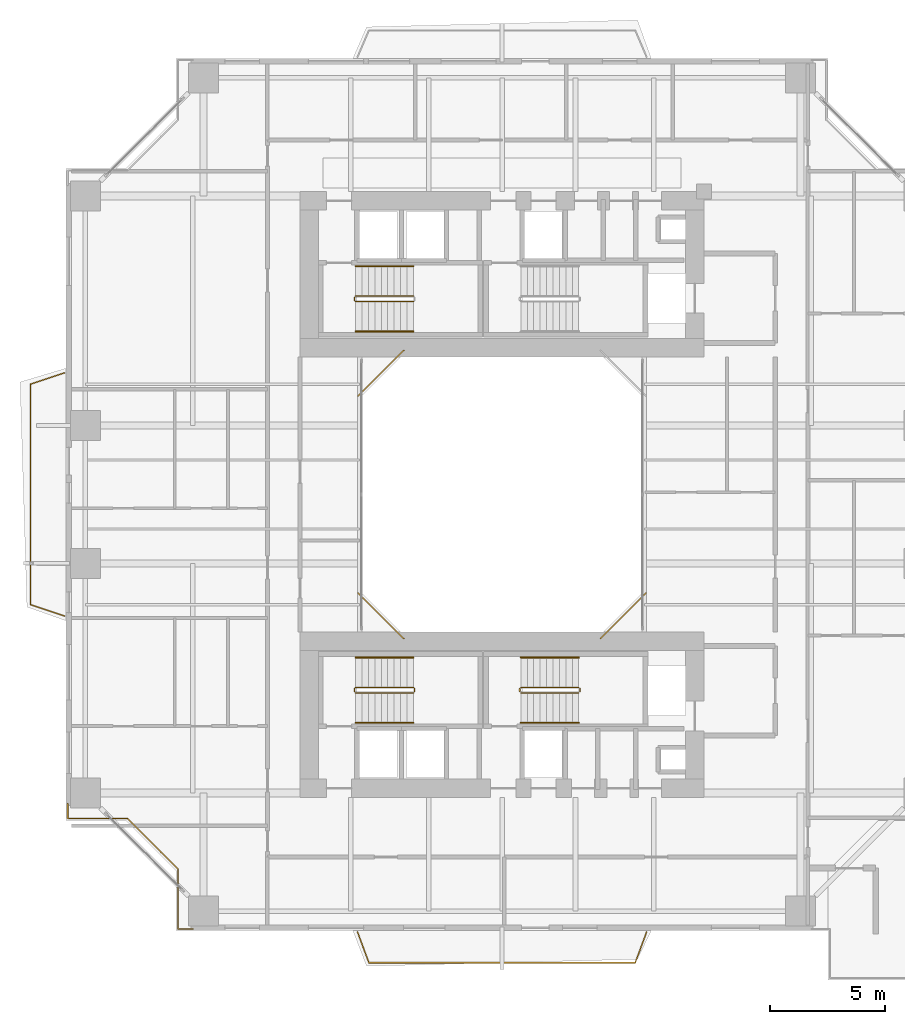
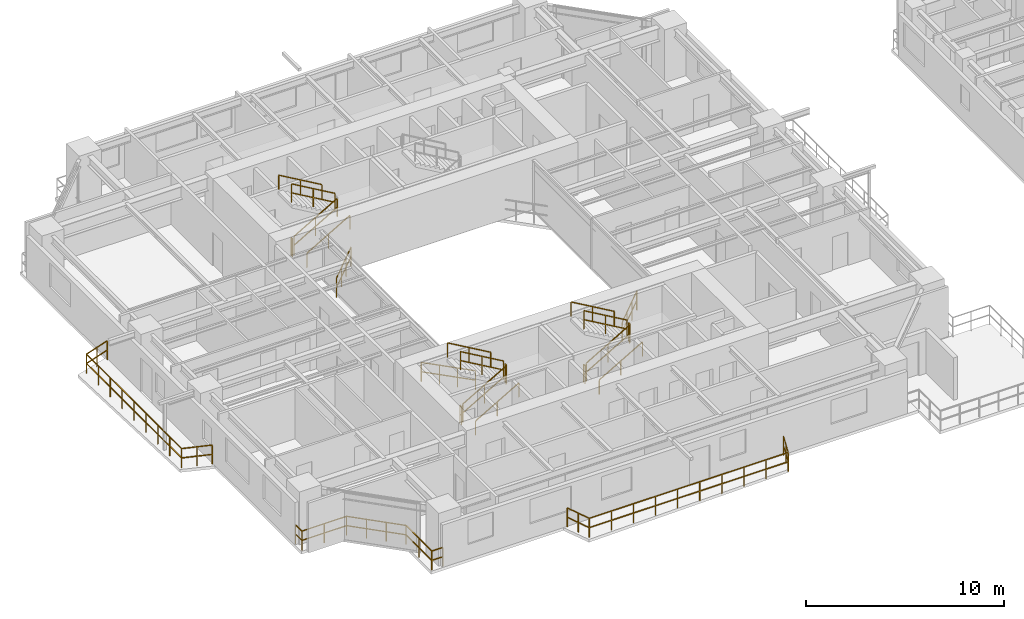
# One storey, part 20 of 23: 23 railings.
"""IFC4 building model written with IfcOpenShell, lengths in metres."""

from ifc_helpers import new_model, si_unit, direction, frame, origin, origin_2d, place, context, subcontext, project, spatial, rectangle, extrude, material, type_object, element, save


model = new_model("IFC4")

# Units and contexts
model_context = context("Model", 3, precision=1e-05, world=origin(), true_north=direction((0.0, 1.0)))
body_context = subcontext(model_context, "Body", "Model", "MODEL_VIEW")
ifc_project = project(units=[si_unit("LENGTHUNIT", "METRE"), si_unit("AREAUNIT", "SQUARE_METRE"), si_unit("VOLUMEUNIT", "CUBIC_METRE"), si_unit("PLANEANGLEUNIT", "RADIAN"), si_unit("MASSUNIT", "GRAM", prefix="KILO"), si_unit("THERMODYNAMICTEMPERATUREUNIT", "KELVIN"), si_unit("POWERUNIT", "WATT")], contexts=[model_context])

# Site, building, storey
site_placement = place(None, origin())
site = spatial("IfcSite", under=ifc_project, at=site_placement, CompositionType="ELEMENT")
building_placement = place(site_placement, origin())
building = spatial("IfcBuilding", under=site, at=building_placement, Name="Qiaomeng Ring Towers", CompositionType="ELEMENT")
storey_placement = place(building_placement, frame((0.0, 0.0, 73.0)))
storey = spatial("IfcBuildingStorey", under=building, at=storey_placement, Name="L20", CompositionType="ELEMENT", Elevation=73.0)

# Railings
ifc_material_1 = material(Name="Low-E pale-green laminated safety glass", Category="glass")
railing_type_1 = type_object("IfcRailingType", Name="ARC-RL-BAL1", PredefinedType="BALUSTRADE", material=ifc_material_1)
railing_1_placement = place(storey_placement, frame((23.280029296875, 16.719970703125, 0.0)))
element("IfcRailing", 1, at=railing_1_placement, inside=storey, type_object=railing_type_1, Name="L20 Balustrade ARC-BAL-WELL1-L20-1", PredefinedType="BALUSTRADE", context=body_context, shape_type="SweptSolid", body=[
    extrude(rectangle(XDim=0.048095703125, YDim=0.048095703125, at=origin_2d()), frame((0.0, 0.0, 1.17578125), z_axis=(0.707106781187, 0.707106781187, 0.0), x_axis=(-0.707106781187, 0.707106781187, 0.0)), (0.0, 0.0, 1.0), 2.828369140625),
    extrude(rectangle(XDim=0.048095703125, YDim=0.048095703125, at=origin_2d()), frame((0.0, 0.0, 0.60009765625), z_axis=(0.707106781187, 0.707106781187, 0.0), x_axis=(-0.707106781187, 0.707106781187, 0.0)), (0.0, 0.0, 1.0), 2.828369140625),
    extrude(rectangle(XDim=0.0419921875, YDim=0.0419921875, at=origin_2d()), origin(), (0.0, 0.0, 1.0), 1.15185546875),
    extrude(rectangle(XDim=0.0419921875, YDim=0.0419921875, at=origin_2d()), frame((0.666748046875, 0.666748046875, 0.0)), (0.0, 0.0, 1.0), 1.15185546875),
    extrude(rectangle(XDim=0.0419921875, YDim=0.0419921875, at=origin_2d()), frame((1.333251953125, 1.333251953125, 0.0)), (0.0, 0.0, 1.0), 1.15185546875),
    extrude(rectangle(XDim=0.0419921875, YDim=0.0419921875, at=origin_2d()), frame((2.0, 2.0, 0.0)), (0.0, 0.0, 1.0), 1.15185546875),
])
railing_2_placement = place(storey_placement, frame((14.719970703125, 29.280029296875, 0.0)))
element("IfcRailing", 2, at=railing_2_placement, inside=storey, type_object=railing_type_1, Name="L20 Balustrade ARC-BAL-WELL1-L20-3", PredefinedType="BALUSTRADE", context=body_context, shape_type="SweptSolid", body=[
    extrude(rectangle(XDim=0.048095703125, YDim=0.048095703125, at=origin_2d()), frame((0.0, 0.0, 1.17578125), z_axis=(-0.707106781187, -0.707106781187, 0.0), x_axis=(0.707106781187, -0.707106781187, 0.0)), (0.0, 0.0, 1.0), 2.828369140625),
    extrude(rectangle(XDim=0.048095703125, YDim=0.048095703125, at=origin_2d()), frame((0.0, 0.0, 0.60009765625), z_axis=(-0.707106781187, -0.707106781187, 0.0), x_axis=(0.707106781187, -0.707106781187, 0.0)), (0.0, 0.0, 1.0), 2.828369140625),
    extrude(rectangle(XDim=0.0419921875, YDim=0.0419921875, at=origin_2d()), origin(), (0.0, 0.0, 1.0), 1.15185546875),
    extrude(rectangle(XDim=0.0419921875, YDim=0.0419921875, at=origin_2d()), frame((-0.666748046875, -0.666748046875, 0.0)), (0.0, 0.0, 1.0), 1.15185546875),
    extrude(rectangle(XDim=0.0419921875, YDim=0.0419921875, at=origin_2d()), frame((-1.333251953125, -1.333251953125, 0.0)), (0.0, 0.0, 1.0), 1.15185546875),
    extrude(rectangle(XDim=0.0419921875, YDim=0.0419921875, at=origin_2d()), frame((-2.0, -2.0, 0.0)), (0.0, 0.0, 1.0), 1.15185546875),
])
railing_3_placement = place(storey_placement, frame((12.719970703125, 18.719970703125, 0.0)))
element("IfcRailing", 3, at=railing_3_placement, inside=storey, type_object=railing_type_1, Name="L20 Balustrade ARC-BAL-WELL1-L20-4", PredefinedType="BALUSTRADE", context=body_context, shape_type="SweptSolid", body=[
    extrude(rectangle(XDim=0.048095703125, YDim=0.048095703125, at=origin_2d()), frame((0.0, 0.0, 1.17578125), z_axis=(0.707106781187, -0.707106781187, 0.0), x_axis=(0.707106781187, 0.707106781187, 0.0)), (0.0, 0.0, 1.0), 2.828369140625),
    extrude(rectangle(XDim=0.048095703125, YDim=0.048095703125, at=origin_2d()), frame((0.0, 0.0, 0.60009765625), z_axis=(0.707106781187, -0.707106781187, 0.0), x_axis=(0.707106781187, 0.707106781187, 0.0)), (0.0, 0.0, 1.0), 2.828369140625),
    extrude(rectangle(XDim=0.0419921875, YDim=0.0419921875, at=origin_2d()), origin(), (0.0, 0.0, 1.0), 1.15185546875),
    extrude(rectangle(XDim=0.0419921875, YDim=0.0419921875, at=origin_2d()), frame((0.666748046875, -0.666748046875, 0.0)), (0.0, 0.0, 1.0), 1.15185546875),
    extrude(rectangle(XDim=0.0419921875, YDim=0.0419921875, at=origin_2d()), frame((1.333251953125, -1.333251953125, 0.0)), (0.0, 0.0, 1.0), 1.15185546875),
    extrude(rectangle(XDim=0.0419921875, YDim=0.0419921875, at=origin_2d()), frame((2.0, -2.0, 0.0)), (0.0, 0.0, 1.0), 1.15185546875),
])
railing_4_placement = place(storey_placement, frame((0.080078125, 9.530029296875, 0.0)))
element("IfcRailing", 4, at=railing_4_placement, inside=storey, type_object=railing_type_1, Name="L20 Balustrade ARC-BAL-NOTCH1-L20-SW", PredefinedType="BALUSTRADE", context=body_context, shape_type="SweptSolid", body=[
    extrude(rectangle(XDim=0.048095703125, YDim=0.048095703125, at=origin_2d()), frame((0.0, 0.0, 1.17578125), z_axis=(0.0, -1.0, 0.0), x_axis=(1.0, 0.0, 0.0)), (0.0, 0.0, 1.0), 0.650146484375),
    extrude(rectangle(XDim=0.048095703125, YDim=0.048095703125, at=origin_2d()), frame((0.0, 0.0, 0.60009765625), z_axis=(0.0, -1.0, 0.0), x_axis=(1.0, 0.0, 0.0)), (0.0, 0.0, 1.0), 0.650146484375),
    extrude(rectangle(XDim=0.048095703125, YDim=0.048095703125, at=origin_2d()), frame((0.0, -0.650146484375, 1.17578125), z_axis=(1.0, 0.0, 0.0), x_axis=(0.0, 1.0, 0.0)), (0.0, 0.0, 1.0), 2.599853515625),
    extrude(rectangle(XDim=0.048095703125, YDim=0.048095703125, at=origin_2d()), frame((0.0, -0.650146484375, 0.60009765625), z_axis=(1.0, 0.0, 0.0), x_axis=(0.0, 1.0, 0.0)), (0.0, 0.0, 1.0), 2.599853515625),
    extrude(rectangle(XDim=0.048095703125, YDim=0.048095703125, at=origin_2d()), frame((2.599853515625, -0.650146484375, 1.17578125), z_axis=(0.707106781187, -0.707106781187, 0.0), x_axis=(0.707106781187, 0.707106781187, 0.0)), (0.0, 0.0, 1.0), 3.111083984375),
    extrude(rectangle(XDim=0.048095703125, YDim=0.048095703125, at=origin_2d()), frame((2.599853515625, -0.650146484375, 0.60009765625), z_axis=(0.707106781187, -0.707106781187, 0.0), x_axis=(0.707106781187, 0.707106781187, 0.0)), (0.0, 0.0, 1.0), 3.111083984375),
    extrude(rectangle(XDim=0.048095703125, YDim=0.048095703125, at=origin_2d()), frame((4.7998046875, -2.85009765625, 1.17578125), z_axis=(0.0, -1.0, 0.0), x_axis=(1.0, 0.0, 0.0)), (0.0, 0.0, 1.0), 2.599853515625),
    extrude(rectangle(XDim=0.048095703125, YDim=0.048095703125, at=origin_2d()), frame((4.7998046875, -2.85009765625, 0.60009765625), z_axis=(0.0, -1.0, 0.0), x_axis=(1.0, 0.0, 0.0)), (0.0, 0.0, 1.0), 2.599853515625),
    extrude(rectangle(XDim=0.048095703125, YDim=0.048095703125, at=origin_2d()), frame((4.7998046875, -5.449951171875, 1.17578125), z_axis=(1.0, 0.0, 0.0), x_axis=(0.0, 1.0, 0.0)), (0.0, 0.0, 1.0), 0.650146484375),
    extrude(rectangle(XDim=0.048095703125, YDim=0.048095703125, at=origin_2d()), frame((4.7998046875, -5.449951171875, 0.60009765625), z_axis=(1.0, 0.0, 0.0), x_axis=(0.0, 1.0, 0.0)), (0.0, 0.0, 1.0), 0.650146484375),
    extrude(rectangle(XDim=0.0419921875, YDim=0.0419921875, at=origin_2d()), origin(), (0.0, 0.0, 1.0), 1.15185546875),
    extrude(rectangle(XDim=0.0419921875, YDim=0.0419921875, at=origin_2d()), frame((0.0, -0.650146484375, 0.0)), (0.0, 0.0, 1.0), 1.15185546875),
    extrude(rectangle(XDim=0.0419921875, YDim=0.0419921875, at=origin_2d()), frame((1.2998046875, -0.650146484375, 0.0)), (0.0, 0.0, 1.0), 1.15185546875),
    extrude(rectangle(XDim=0.0419921875, YDim=0.0419921875, at=origin_2d()), frame((2.599853515625, -0.650146484375, 0.0)), (0.0, 0.0, 1.0), 1.15185546875),
    extrude(rectangle(XDim=0.0419921875, YDim=0.0419921875, at=origin_2d()), frame((3.333251953125, -1.383544921875, 0.0)), (0.0, 0.0, 1.0), 1.15185546875),
    extrude(rectangle(XDim=0.0419921875, YDim=0.0419921875, at=origin_2d()), frame((4.06640625, -2.11669921875, 0.0)), (0.0, 0.0, 1.0), 1.15185546875),
    extrude(rectangle(XDim=0.0419921875, YDim=0.0419921875, at=origin_2d()), frame((4.7998046875, -2.85009765625, 0.0)), (0.0, 0.0, 1.0), 1.15185546875),
    extrude(rectangle(XDim=0.0419921875, YDim=0.0419921875, at=origin_2d()), frame((4.7998046875, -4.14990234375, 0.0)), (0.0, 0.0, 1.0), 1.15185546875),
    extrude(rectangle(XDim=0.0419921875, YDim=0.0419921875, at=origin_2d()), frame((4.7998046875, -5.449951171875, 0.0)), (0.0, 0.0, 1.0), 1.15185546875),
    extrude(rectangle(XDim=0.0419921875, YDim=0.0419921875, at=origin_2d()), frame((5.449951171875, -5.449951171875, 0.0)), (0.0, 0.0, 1.0), 1.15185546875),
])
railing_5_placement = place(storey_placement, frame((12.699951171875, 3.949951171875, 0.0)))
element("IfcRailing", 5, at=railing_5_placement, inside=storey, type_object=railing_type_1, Name="L20 Balustrade ARC-BAL-L20-T1-S", PredefinedType="BALUSTRADE", context=body_context, shape_type="SweptSolid", body=[
    extrude(rectangle(XDim=0.048095703125, YDim=0.048095703125, at=origin_2d()), frame((0.0, 0.0, 1.17578125), z_axis=(0.347347498827, -0.937736484871, 0.0), x_axis=(0.937736484871, 0.347347498827, 0.0)), (0.0, 0.0, 1.0), 1.439453125),
    extrude(rectangle(XDim=0.048095703125, YDim=0.048095703125, at=origin_2d()), frame((0.0, 0.0, 0.60009765625), z_axis=(0.347347498827, -0.937736484871, 0.0), x_axis=(0.937736484871, 0.347347498827, 0.0)), (0.0, 0.0, 1.0), 1.439453125),
    extrude(rectangle(XDim=0.048095703125, YDim=0.048095703125, at=origin_2d()), frame((0.5, -1.349853515625, 1.17578125), z_axis=(1.0, 0.0, 0.0), x_axis=(0.0, 1.0, 0.0)), (0.0, 0.0, 1.0), 11.60009765625),
    extrude(rectangle(XDim=0.048095703125, YDim=0.048095703125, at=origin_2d()), frame((0.5, -1.349853515625, 0.60009765625), z_axis=(1.0, 0.0, 0.0), x_axis=(0.0, 1.0, 0.0)), (0.0, 0.0, 1.0), 11.60009765625),
    extrude(rectangle(XDim=0.048095703125, YDim=0.048095703125, at=origin_2d()), frame((12.10009765625, -1.349853515625, 1.17578125), z_axis=(0.347347498827, 0.937736484871, 0.0), x_axis=(-0.937736484871, 0.347347498827, 0.0)), (0.0, 0.0, 1.0), 1.439453125),
    extrude(rectangle(XDim=0.048095703125, YDim=0.048095703125, at=origin_2d()), frame((12.10009765625, -1.349853515625, 0.60009765625), z_axis=(0.347347498827, 0.937736484871, 0.0), x_axis=(-0.937736484871, 0.347347498827, 0.0)), (0.0, 0.0, 1.0), 1.439453125),
    extrude(rectangle(XDim=0.0419921875, YDim=0.0419921875, at=origin_2d()), origin(), (0.0, 0.0, 1.0), 1.15185546875),
    extrude(rectangle(XDim=0.0419921875, YDim=0.0419921875, at=origin_2d()), frame((0.25, -0.6748046875, 0.0)), (0.0, 0.0, 1.0), 1.15185546875),
    extrude(rectangle(XDim=0.0419921875, YDim=0.0419921875, at=origin_2d()), frame((0.5, -1.349853515625, 0.0)), (0.0, 0.0, 1.0), 1.15185546875),
    extrude(rectangle(XDim=0.0419921875, YDim=0.0419921875, at=origin_2d()), frame((1.788818359375, -1.349853515625, 0.0)), (0.0, 0.0, 1.0), 1.15185546875),
    extrude(rectangle(XDim=0.0419921875, YDim=0.0419921875, at=origin_2d()), frame((3.077880859375, -1.349853515625, 0.0)), (0.0, 0.0, 1.0), 1.15185546875),
    extrude(rectangle(XDim=0.0419921875, YDim=0.0419921875, at=origin_2d()), frame((4.36669921875, -1.349853515625, 0.0)), (0.0, 0.0, 1.0), 1.15185546875),
    extrude(rectangle(XDim=0.0419921875, YDim=0.0419921875, at=origin_2d()), frame((5.655517578125, -1.349853515625, 0.0)), (0.0, 0.0, 1.0), 1.15185546875),
    extrude(rectangle(XDim=0.0419921875, YDim=0.0419921875, at=origin_2d()), frame((6.944580078125, -1.349853515625, 0.0)), (0.0, 0.0, 1.0), 1.15185546875),
    extrude(rectangle(XDim=0.0419921875, YDim=0.0419921875, at=origin_2d()), frame((8.2333984375, -1.349853515625, 0.0)), (0.0, 0.0, 1.0), 1.15185546875),
    extrude(rectangle(XDim=0.0419921875, YDim=0.0419921875, at=origin_2d()), frame((9.522216796875, -1.349853515625, 0.0)), (0.0, 0.0, 1.0), 1.15185546875),
    extrude(rectangle(XDim=0.0419921875, YDim=0.0419921875, at=origin_2d()), frame((10.811279296875, -1.349853515625, 0.0)), (0.0, 0.0, 1.0), 1.15185546875),
    extrude(rectangle(XDim=0.0419921875, YDim=0.0419921875, at=origin_2d()), frame((12.10009765625, -1.349853515625, 0.0)), (0.0, 0.0, 1.0), 1.15185546875),
    extrude(rectangle(XDim=0.0419921875, YDim=0.0419921875, at=origin_2d()), frame((12.35009765625, -0.6748046875, 0.0)), (0.0, 0.0, 1.0), 1.15185546875),
    extrude(rectangle(XDim=0.0419921875, YDim=0.0419921875, at=origin_2d()), frame((12.60009765625, 0.0, 0.0)), (0.0, 0.0, 1.0), 1.15185546875),
])
railing_6_placement = place(storey_placement, frame((-0.050048828125, 17.699951171875, 0.0)))
element("IfcRailing", 6, at=railing_6_placement, inside=storey, type_object=railing_type_1, Name="L20 Balustrade ARC-BAL-L20-T1-W", PredefinedType="BALUSTRADE", context=body_context, shape_type="SweptSolid", body=[
    extrude(rectangle(XDim=0.048095703125, YDim=0.048095703125, at=origin_2d()), frame((0.0, 0.0, 1.17578125), z_axis=(-0.948683298051, 0.316227766017, 0.0), x_axis=(-0.316227766017, -0.948683298051, 0.0)), (0.0, 0.0, 1.0), 1.5810546875),
    extrude(rectangle(XDim=0.048095703125, YDim=0.048095703125, at=origin_2d()), frame((0.0, 0.0, 0.60009765625), z_axis=(-0.948683298051, 0.316227766017, 0.0), x_axis=(-0.316227766017, -0.948683298051, 0.0)), (0.0, 0.0, 1.0), 1.5810546875),
    extrude(rectangle(XDim=0.048095703125, YDim=0.048095703125, at=origin_2d()), frame((-1.5, 0.5, 1.17578125), z_axis=(0.0, 1.0, 0.0), x_axis=(-1.0, 0.0, 0.0)), (0.0, 0.0, 1.0), 9.60009765625),
    extrude(rectangle(XDim=0.048095703125, YDim=0.048095703125, at=origin_2d()), frame((-1.5, 0.5, 0.60009765625), z_axis=(0.0, 1.0, 0.0), x_axis=(-1.0, 0.0, 0.0)), (0.0, 0.0, 1.0), 9.60009765625),
    extrude(rectangle(XDim=0.048095703125, YDim=0.048095703125, at=origin_2d()), frame((-1.5, 10.10009765625, 1.17578125), z_axis=(0.948683298051, 0.316227766017, 0.0), x_axis=(-0.316227766017, 0.948683298051, 0.0)), (0.0, 0.0, 1.0), 1.5810546875),
    extrude(rectangle(XDim=0.048095703125, YDim=0.048095703125, at=origin_2d()), frame((-1.5, 10.10009765625, 0.60009765625), z_axis=(0.948683298051, 0.316227766017, 0.0), x_axis=(-0.316227766017, 0.948683298051, 0.0)), (0.0, 0.0, 1.0), 1.5810546875),
    extrude(rectangle(XDim=0.0419921875, YDim=0.0419921875, at=origin_2d()), origin(), (0.0, 0.0, 1.0), 1.15185546875),
    extrude(rectangle(XDim=0.0419921875, YDim=0.0419921875, at=origin_2d()), frame((-0.75, 0.25, 0.0)), (0.0, 0.0, 1.0), 1.15185546875),
    extrude(rectangle(XDim=0.0419921875, YDim=0.0419921875, at=origin_2d()), frame((-1.5, 0.5, 0.0)), (0.0, 0.0, 1.0), 1.15185546875),
    extrude(rectangle(XDim=0.0419921875, YDim=0.0419921875, at=origin_2d()), frame((-1.5, 1.699951171875, 0.0)), (0.0, 0.0, 1.0), 1.15185546875),
    extrude(rectangle(XDim=0.0419921875, YDim=0.0419921875, at=origin_2d()), frame((-1.5, 2.89990234375, 0.0)), (0.0, 0.0, 1.0), 1.15185546875),
    extrude(rectangle(XDim=0.0419921875, YDim=0.0419921875, at=origin_2d()), frame((-1.5, 4.10009765625, 0.0)), (0.0, 0.0, 1.0), 1.15185546875),
    extrude(rectangle(XDim=0.0419921875, YDim=0.0419921875, at=origin_2d()), frame((-1.5, 5.300048828125, 0.0)), (0.0, 0.0, 1.0), 1.15185546875),
    extrude(rectangle(XDim=0.0419921875, YDim=0.0419921875, at=origin_2d()), frame((-1.5, 6.5, 0.0)), (0.0, 0.0, 1.0), 1.15185546875),
    extrude(rectangle(XDim=0.0419921875, YDim=0.0419921875, at=origin_2d()), frame((-1.5, 7.7001953125, 0.0)), (0.0, 0.0, 1.0), 1.15185546875),
    extrude(rectangle(XDim=0.0419921875, YDim=0.0419921875, at=origin_2d()), frame((-1.5, 8.900146484375, 0.0)), (0.0, 0.0, 1.0), 1.15185546875),
    extrude(rectangle(XDim=0.0419921875, YDim=0.0419921875, at=origin_2d()), frame((-1.5, 10.10009765625, 0.0)), (0.0, 0.0, 1.0), 1.15185546875),
    extrude(rectangle(XDim=0.0419921875, YDim=0.0419921875, at=origin_2d()), frame((-0.75, 10.35009765625, 0.0)), (0.0, 0.0, 1.0), 1.15185546875),
    extrude(rectangle(XDim=0.0419921875, YDim=0.0419921875, at=origin_2d()), frame((0.0, 10.60009765625, 0.0)), (0.0, 0.0, 1.0), 1.15185546875),
])
ifc_material_2 = material(Name="Galvanised steel", Category="steel")
railing_type_2 = type_object("IfcRailingType", Name="ARC-RL-GUARD", PredefinedType="GUARDRAIL", material=ifc_material_2)
railing_7_placement = place(storey_placement, frame((12.6201171875, 31.39990234375, 0.16259765625)))
element("IfcRailing", 7, at=railing_7_placement, inside=storey, type_object=railing_type_2, Name="L20 ST1 stair guard 1", PredefinedType="GUARDRAIL", context=body_context, shape_type="SweptSolid", body=[
    extrude(rectangle(XDim=0.048095703125, YDim=0.048095703125, at=origin_2d()), frame((0.0, 0.0, 1.1259765625), z_axis=(0.864892226395, 0.0, 0.501957604506), x_axis=(0.0, 1.0, 0.0)), (0.0, 0.0, 1.0), 2.913330078125),
    extrude(rectangle(XDim=0.048095703125, YDim=0.048095703125, at=origin_2d()), frame((0.0, 0.0, 0.574951171875), z_axis=(0.864892226395, 0.0, 0.501957604506), x_axis=(0.0, 1.0, 0.0)), (0.0, 0.0, 1.0), 2.913330078125),
    extrude(rectangle(XDim=0.0419921875, YDim=0.0419921875, at=origin_2d()), origin(), (0.0, 0.0, 1.0), 1.101806640625),
    extrude(rectangle(XDim=0.0419921875, YDim=0.0419921875, at=origin_2d()), frame((1.259765625, 0.0, 0.731201171875)), (0.0, 0.0, 1.0), 1.101806640625),
    extrude(rectangle(XDim=0.0419921875, YDim=0.0419921875, at=origin_2d()), frame((2.519775390625, 0.0, 1.46240234375)), (0.0, 0.0, 1.0), 1.101806640625),
])
railing_8_placement = place(storey_placement, frame((15.139892578125, 31.639892578125, 1.78759765625)))
element("IfcRailing", 8, at=railing_8_placement, inside=storey, type_object=railing_type_2, Name="L20 ST1 stair guard 3", PredefinedType="GUARDRAIL", context=body_context, shape_type="SweptSolid", body=[
    extrude(rectangle(XDim=0.048095703125, YDim=0.048095703125, at=origin_2d()), frame((0.0, 0.0, 1.1259765625), z_axis=(-0.864892226395, 0.0, 0.501957604506), x_axis=(0.0, -1.0, 0.0)), (0.0, 0.0, 1.0), 2.913330078125),
    extrude(rectangle(XDim=0.048095703125, YDim=0.048095703125, at=origin_2d()), frame((0.0, 0.0, 0.574951171875), z_axis=(-0.864892226395, 0.0, 0.501957604506), x_axis=(0.0, -1.0, 0.0)), (0.0, 0.0, 1.0), 2.913330078125),
    extrude(rectangle(XDim=0.0419921875, YDim=0.0419921875, at=origin_2d()), origin(), (0.0, 0.0, 1.0), 1.101806640625),
    extrude(rectangle(XDim=0.0419921875, YDim=0.0419921875, at=origin_2d()), frame((-1.259765625, 0.0, 0.731201171875)), (0.0, 0.0, 1.0), 1.101806640625),
    extrude(rectangle(XDim=0.0419921875, YDim=0.0419921875, at=origin_2d()), frame((-2.519775390625, 0.0, 1.46240234375)), (0.0, 0.0, 1.0), 1.101806640625),
])
railing_9_placement = place(storey_placement, frame((12.570068359375, 31.449951171875, 0.0)))
element("IfcRailing", 9, at=railing_9_placement, inside=storey, type_object=railing_type_2, Name="L20 ST1 stair guard 4", PredefinedType="GUARDRAIL", context=body_context, shape_type="SweptSolid", body=[
    extrude(rectangle(XDim=0.048095703125, YDim=0.048095703125, at=origin_2d()), frame((0.0, 0.0, 1.1259765625), z_axis=(0.0, 1.0, 0.0), x_axis=(-1.0, 0.0, 0.0)), (0.0, 0.0, 1.0), 0.14013671875),
    extrude(rectangle(XDim=0.048095703125, YDim=0.048095703125, at=origin_2d()), frame((0.0, 0.0, 0.574951171875), z_axis=(0.0, 1.0, 0.0), x_axis=(-1.0, 0.0, 0.0)), (0.0, 0.0, 1.0), 0.14013671875),
    extrude(rectangle(XDim=0.0419921875, YDim=0.0419921875, at=origin_2d()), origin(), (0.0, 0.0, 1.0), 1.101806640625),
    extrude(rectangle(XDim=0.0419921875, YDim=0.0419921875, at=origin_2d()), frame((0.0, 0.14013671875, 0.0)), (0.0, 0.0, 1.0), 1.101806640625),
])
railing_10_placement = place(storey_placement, frame((12.6201171875, 14.360107421875, 0.16259765625)))
element("IfcRailing", 10, at=railing_10_placement, inside=storey, type_object=railing_type_2, Name="L20 ST3 stair guard 1", PredefinedType="GUARDRAIL", context=body_context, shape_type="SweptSolid", body=[
    extrude(rectangle(XDim=0.048095703125, YDim=0.048095703125, at=origin_2d()), frame((0.0, 0.0, 1.1259765625), z_axis=(0.864892226395, 0.0, 0.501957604506), x_axis=(0.0, 1.0, 0.0)), (0.0, 0.0, 1.0), 2.913330078125),
    extrude(rectangle(XDim=0.048095703125, YDim=0.048095703125, at=origin_2d()), frame((0.0, 0.0, 0.574951171875), z_axis=(0.864892226395, 0.0, 0.501957604506), x_axis=(0.0, 1.0, 0.0)), (0.0, 0.0, 1.0), 2.913330078125),
    extrude(rectangle(XDim=0.0419921875, YDim=0.0419921875, at=origin_2d()), origin(), (0.0, 0.0, 1.0), 1.101806640625),
    extrude(rectangle(XDim=0.0419921875, YDim=0.0419921875, at=origin_2d()), frame((1.259765625, 0.0, 0.731201171875)), (0.0, 0.0, 1.0), 1.101806640625),
    extrude(rectangle(XDim=0.0419921875, YDim=0.0419921875, at=origin_2d()), frame((2.519775390625, 0.0, 1.46240234375)), (0.0, 0.0, 1.0), 1.101806640625),
])
railing_11_placement = place(storey_placement, frame((15.18994140625, 14.409912109375, 1.625)))
element("IfcRailing", 11, at=railing_11_placement, inside=storey, type_object=railing_type_2, Name="L20 ST3 stair guard 2", PredefinedType="GUARDRAIL", context=body_context, shape_type="SweptSolid", body=[
    extrude(rectangle(XDim=0.048095703125, YDim=0.048095703125, at=origin_2d()), frame((0.0, 0.0, 1.1259765625), z_axis=(0.0, 1.0, 0.0), x_axis=(-1.0, 0.0, 0.0)), (0.0, 0.0, 1.0), 0.14013671875),
    extrude(rectangle(XDim=0.048095703125, YDim=0.048095703125, at=origin_2d()), frame((0.0, 0.0, 0.574951171875), z_axis=(0.0, 1.0, 0.0), x_axis=(-1.0, 0.0, 0.0)), (0.0, 0.0, 1.0), 0.14013671875),
    extrude(rectangle(XDim=0.0419921875, YDim=0.0419921875, at=origin_2d()), origin(), (0.0, 0.0, 1.0), 1.101806640625),
    extrude(rectangle(XDim=0.0419921875, YDim=0.0419921875, at=origin_2d()), frame((0.0, 0.14013671875, 0.0)), (0.0, 0.0, 1.0), 1.101806640625),
])
railing_12_placement = place(storey_placement, frame((15.139892578125, 14.60009765625, 1.78759765625)))
element("IfcRailing", 12, at=railing_12_placement, inside=storey, type_object=railing_type_2, Name="L20 ST3 stair guard 3", PredefinedType="GUARDRAIL", context=body_context, shape_type="SweptSolid", body=[
    extrude(rectangle(XDim=0.048095703125, YDim=0.048095703125, at=origin_2d()), frame((0.0, 0.0, 1.1259765625), z_axis=(-0.864892226395, 0.0, 0.501957604506), x_axis=(0.0, -1.0, 0.0)), (0.0, 0.0, 1.0), 2.913330078125),
    extrude(rectangle(XDim=0.048095703125, YDim=0.048095703125, at=origin_2d()), frame((0.0, 0.0, 0.574951171875), z_axis=(-0.864892226395, 0.0, 0.501957604506), x_axis=(0.0, -1.0, 0.0)), (0.0, 0.0, 1.0), 2.913330078125),
    extrude(rectangle(XDim=0.0419921875, YDim=0.0419921875, at=origin_2d()), origin(), (0.0, 0.0, 1.0), 1.101806640625),
    extrude(rectangle(XDim=0.0419921875, YDim=0.0419921875, at=origin_2d()), frame((-1.259765625, 0.0, 0.731201171875)), (0.0, 0.0, 1.0), 1.101806640625),
    extrude(rectangle(XDim=0.0419921875, YDim=0.0419921875, at=origin_2d()), frame((-2.519775390625, 0.0, 1.46240234375)), (0.0, 0.0, 1.0), 1.101806640625),
])
railing_13_placement = place(storey_placement, frame((12.570068359375, 14.409912109375, 0.0)))
element("IfcRailing", 13, at=railing_13_placement, inside=storey, type_object=railing_type_2, Name="L20 ST3 stair guard 4", PredefinedType="GUARDRAIL", context=body_context, shape_type="SweptSolid", body=[
    extrude(rectangle(XDim=0.048095703125, YDim=0.048095703125, at=origin_2d()), frame((0.0, 0.0, 1.1259765625), z_axis=(0.0, 1.0, 0.0), x_axis=(-1.0, 0.0, 0.0)), (0.0, 0.0, 1.0), 0.14013671875),
    extrude(rectangle(XDim=0.048095703125, YDim=0.048095703125, at=origin_2d()), frame((0.0, 0.0, 0.574951171875), z_axis=(0.0, 1.0, 0.0), x_axis=(-1.0, 0.0, 0.0)), (0.0, 0.0, 1.0), 0.14013671875),
    extrude(rectangle(XDim=0.0419921875, YDim=0.0419921875, at=origin_2d()), origin(), (0.0, 0.0, 1.0), 1.101806640625),
    extrude(rectangle(XDim=0.0419921875, YDim=0.0419921875, at=origin_2d()), frame((0.0, 0.14013671875, 0.0)), (0.0, 0.0, 1.0), 1.101806640625),
])
railing_14_placement = place(storey_placement, frame((19.820068359375, 14.360107421875, 0.16259765625)))
element("IfcRailing", 14, at=railing_14_placement, inside=storey, type_object=railing_type_2, Name="L20 ST4 stair guard 1", PredefinedType="GUARDRAIL", context=body_context, shape_type="SweptSolid", body=[
    extrude(rectangle(XDim=0.048095703125, YDim=0.048095703125, at=origin_2d()), frame((0.0, 0.0, 1.1259765625), z_axis=(0.864913338283, 0.0, 0.50192122615), x_axis=(0.0, 1.0, 0.0)), (0.0, 0.0, 1.0), 2.91357421875),
    extrude(rectangle(XDim=0.048095703125, YDim=0.048095703125, at=origin_2d()), frame((0.0, 0.0, 0.574951171875), z_axis=(0.864913338283, 0.0, 0.50192122615), x_axis=(0.0, 1.0, 0.0)), (0.0, 0.0, 1.0), 2.91357421875),
    extrude(rectangle(XDim=0.0419921875, YDim=0.0419921875, at=origin_2d()), origin(), (0.0, 0.0, 1.0), 1.101806640625),
    extrude(rectangle(XDim=0.0419921875, YDim=0.0419921875, at=origin_2d()), frame((1.260009765625, 0.0, 0.731201171875)), (0.0, 0.0, 1.0), 1.101806640625),
    extrude(rectangle(XDim=0.0419921875, YDim=0.0419921875, at=origin_2d()), frame((2.52001953125, 0.0, 1.46240234375)), (0.0, 0.0, 1.0), 1.101806640625),
])
railing_15_placement = place(storey_placement, frame((22.389892578125, 14.409912109375, 1.625)))
element("IfcRailing", 15, at=railing_15_placement, inside=storey, type_object=railing_type_2, Name="L20 ST4 stair guard 2", PredefinedType="GUARDRAIL", context=body_context, shape_type="SweptSolid", body=[
    extrude(rectangle(XDim=0.048095703125, YDim=0.048095703125, at=origin_2d()), frame((0.0, 0.0, 1.1259765625), z_axis=(0.0, 1.0, 0.0), x_axis=(-1.0, 0.0, 0.0)), (0.0, 0.0, 1.0), 0.14013671875),
    extrude(rectangle(XDim=0.048095703125, YDim=0.048095703125, at=origin_2d()), frame((0.0, 0.0, 0.574951171875), z_axis=(0.0, 1.0, 0.0), x_axis=(-1.0, 0.0, 0.0)), (0.0, 0.0, 1.0), 0.14013671875),
    extrude(rectangle(XDim=0.0419921875, YDim=0.0419921875, at=origin_2d()), origin(), (0.0, 0.0, 1.0), 1.101806640625),
    extrude(rectangle(XDim=0.0419921875, YDim=0.0419921875, at=origin_2d()), frame((0.0, 0.14013671875, 0.0)), (0.0, 0.0, 1.0), 1.101806640625),
])
railing_16_placement = place(storey_placement, frame((22.340087890625, 14.60009765625, 1.78759765625)))
element("IfcRailing", 16, at=railing_16_placement, inside=storey, type_object=railing_type_2, Name="L20 ST4 stair guard 3", PredefinedType="GUARDRAIL", context=body_context, shape_type="SweptSolid", body=[
    extrude(rectangle(XDim=0.048095703125, YDim=0.048095703125, at=origin_2d()), frame((0.0, 0.0, 1.1259765625), z_axis=(-0.864913338283, 0.0, 0.50192122615), x_axis=(0.0, -1.0, 0.0)), (0.0, 0.0, 1.0), 2.91357421875),
    extrude(rectangle(XDim=0.048095703125, YDim=0.048095703125, at=origin_2d()), frame((0.0, 0.0, 0.574951171875), z_axis=(-0.864913338283, 0.0, 0.50192122615), x_axis=(0.0, -1.0, 0.0)), (0.0, 0.0, 1.0), 2.91357421875),
    extrude(rectangle(XDim=0.0419921875, YDim=0.0419921875, at=origin_2d()), origin(), (0.0, 0.0, 1.0), 1.101806640625),
    extrude(rectangle(XDim=0.0419921875, YDim=0.0419921875, at=origin_2d()), frame((-1.260009765625, 0.0, 0.731201171875)), (0.0, 0.0, 1.0), 1.101806640625),
    extrude(rectangle(XDim=0.0419921875, YDim=0.0419921875, at=origin_2d()), frame((-2.52001953125, 0.0, 1.46240234375)), (0.0, 0.0, 1.0), 1.101806640625),
])
railing_17_placement = place(storey_placement, frame((19.77001953125, 14.409912109375, 0.0)))
element("IfcRailing", 17, at=railing_17_placement, inside=storey, type_object=railing_type_2, Name="L20 ST4 stair guard 4", PredefinedType="GUARDRAIL", context=body_context, shape_type="SweptSolid", body=[
    extrude(rectangle(XDim=0.048095703125, YDim=0.048095703125, at=origin_2d()), frame((0.0, 0.0, 1.1259765625), z_axis=(0.0, 1.0, 0.0), x_axis=(-1.0, 0.0, 0.0)), (0.0, 0.0, 1.0), 0.14013671875),
    extrude(rectangle(XDim=0.048095703125, YDim=0.048095703125, at=origin_2d()), frame((0.0, 0.0, 0.574951171875), z_axis=(0.0, 1.0, 0.0), x_axis=(-1.0, 0.0, 0.0)), (0.0, 0.0, 1.0), 0.14013671875),
    extrude(rectangle(XDim=0.0419921875, YDim=0.0419921875, at=origin_2d()), origin(), (0.0, 0.0, 1.0), 1.101806640625),
    extrude(rectangle(XDim=0.0419921875, YDim=0.0419921875, at=origin_2d()), frame((0.0, 0.14013671875, 0.0)), (0.0, 0.0, 1.0), 1.101806640625),
])
ifc_material_3 = material(Name="Stainless steel 316", Category="steel")
railing_type_3 = type_object("IfcRailingType", Name="ARC-RL-HAND", PredefinedType="HANDRAIL", material=ifc_material_3)
railing_18_placement = place(storey_placement, frame((12.6201171875, 30.10009765625, 0.16259765625)))
element("IfcRailing", 18, at=railing_18_placement, inside=storey, type_object=railing_type_3, Name="L20 ST1 stair handrail 1", PredefinedType="HANDRAIL", context=body_context, shape_type="SweptSolid", body=[
    extrude(rectangle(XDim=0.048095703125, YDim=0.048095703125, at=origin_2d()), frame((0.0, 0.0, 0.8759765625), z_axis=(0.864892226395, 0.0, 0.501957604506), x_axis=(0.0, 1.0, 0.0)), (0.0, 0.0, 1.0), 2.913330078125),
    extrude(rectangle(XDim=0.0419921875, YDim=0.0419921875, at=origin_2d()), origin(), (0.0, 0.0, 1.0), 0.851806640625),
    extrude(rectangle(XDim=0.0419921875, YDim=0.0419921875, at=origin_2d()), frame((1.259765625, 0.0, 0.731201171875)), (0.0, 0.0, 1.0), 0.851806640625),
    extrude(rectangle(XDim=0.0419921875, YDim=0.0419921875, at=origin_2d()), frame((2.519775390625, 0.0, 1.46240234375)), (0.0, 0.0, 1.0), 0.851806640625),
])
railing_19_placement = place(storey_placement, frame((15.139892578125, 32.93994140625, 1.78759765625)))
element("IfcRailing", 19, at=railing_19_placement, inside=storey, type_object=railing_type_3, Name="L20 ST1 stair handrail 2", PredefinedType="HANDRAIL", context=body_context, shape_type="SweptSolid", body=[
    extrude(rectangle(XDim=0.048095703125, YDim=0.048095703125, at=origin_2d()), frame((0.0, 0.0, 0.8759765625), z_axis=(-0.864892226395, 0.0, 0.501957604506), x_axis=(0.0, -1.0, 0.0)), (0.0, 0.0, 1.0), 2.913330078125),
    extrude(rectangle(XDim=0.0419921875, YDim=0.0419921875, at=origin_2d()), origin(), (0.0, 0.0, 1.0), 0.851806640625),
    extrude(rectangle(XDim=0.0419921875, YDim=0.0419921875, at=origin_2d()), frame((-1.259765625, 0.0, 0.731201171875)), (0.0, 0.0, 1.0), 0.851806640625),
    extrude(rectangle(XDim=0.0419921875, YDim=0.0419921875, at=origin_2d()), frame((-2.519775390625, 0.0, 1.46240234375)), (0.0, 0.0, 1.0), 0.851806640625),
])
railing_20_placement = place(storey_placement, frame((12.6201171875, 13.06005859375, 0.16259765625)))
element("IfcRailing", 20, at=railing_20_placement, inside=storey, type_object=railing_type_3, Name="L20 ST3 stair handrail 1", PredefinedType="HANDRAIL", context=body_context, shape_type="SweptSolid", body=[
    extrude(rectangle(XDim=0.048095703125, YDim=0.048095703125, at=origin_2d()), frame((0.0, 0.0, 0.8759765625), z_axis=(0.864892226395, 0.0, 0.501957604506), x_axis=(0.0, 1.0, 0.0)), (0.0, 0.0, 1.0), 2.913330078125),
    extrude(rectangle(XDim=0.0419921875, YDim=0.0419921875, at=origin_2d()), origin(), (0.0, 0.0, 1.0), 0.851806640625),
    extrude(rectangle(XDim=0.0419921875, YDim=0.0419921875, at=origin_2d()), frame((1.259765625, 0.0, 0.731201171875)), (0.0, 0.0, 1.0), 0.851806640625),
    extrude(rectangle(XDim=0.0419921875, YDim=0.0419921875, at=origin_2d()), frame((2.519775390625, 0.0, 1.46240234375)), (0.0, 0.0, 1.0), 0.851806640625),
])
railing_21_placement = place(storey_placement, frame((15.139892578125, 15.89990234375, 1.78759765625)))
element("IfcRailing", 21, at=railing_21_placement, inside=storey, type_object=railing_type_3, Name="L20 ST3 stair handrail 2", PredefinedType="HANDRAIL", context=body_context, shape_type="SweptSolid", body=[
    extrude(rectangle(XDim=0.048095703125, YDim=0.048095703125, at=origin_2d()), frame((0.0, 0.0, 0.8759765625), z_axis=(-0.864892226395, 0.0, 0.501957604506), x_axis=(0.0, -1.0, 0.0)), (0.0, 0.0, 1.0), 2.913330078125),
    extrude(rectangle(XDim=0.0419921875, YDim=0.0419921875, at=origin_2d()), origin(), (0.0, 0.0, 1.0), 0.851806640625),
    extrude(rectangle(XDim=0.0419921875, YDim=0.0419921875, at=origin_2d()), frame((-1.259765625, 0.0, 0.731201171875)), (0.0, 0.0, 1.0), 0.851806640625),
    extrude(rectangle(XDim=0.0419921875, YDim=0.0419921875, at=origin_2d()), frame((-2.519775390625, 0.0, 1.46240234375)), (0.0, 0.0, 1.0), 0.851806640625),
])
railing_22_placement = place(storey_placement, frame((19.820068359375, 13.06005859375, 0.16259765625)))
element("IfcRailing", 22, at=railing_22_placement, inside=storey, type_object=railing_type_3, Name="L20 ST4 stair handrail 1", PredefinedType="HANDRAIL", context=body_context, shape_type="SweptSolid", body=[
    extrude(rectangle(XDim=0.048095703125, YDim=0.048095703125, at=origin_2d()), frame((0.0, 0.0, 0.8759765625), z_axis=(0.864913338283, 0.0, 0.50192122615), x_axis=(0.0, 1.0, 0.0)), (0.0, 0.0, 1.0), 2.91357421875),
    extrude(rectangle(XDim=0.0419921875, YDim=0.0419921875, at=origin_2d()), origin(), (0.0, 0.0, 1.0), 0.851806640625),
    extrude(rectangle(XDim=0.0419921875, YDim=0.0419921875, at=origin_2d()), frame((1.260009765625, 0.0, 0.731201171875)), (0.0, 0.0, 1.0), 0.851806640625),
    extrude(rectangle(XDim=0.0419921875, YDim=0.0419921875, at=origin_2d()), frame((2.52001953125, 0.0, 1.46240234375)), (0.0, 0.0, 1.0), 0.851806640625),
])
railing_23_placement = place(storey_placement, frame((22.340087890625, 15.89990234375, 1.78759765625)))
element("IfcRailing", 23, at=railing_23_placement, inside=storey, type_object=railing_type_3, Name="L20 ST4 stair handrail 2", PredefinedType="HANDRAIL", context=body_context, shape_type="SweptSolid", body=[
    extrude(rectangle(XDim=0.048095703125, YDim=0.048095703125, at=origin_2d()), frame((0.0, 0.0, 0.8759765625), z_axis=(-0.864913338283, 0.0, 0.50192122615), x_axis=(0.0, -1.0, 0.0)), (0.0, 0.0, 1.0), 2.91357421875),
    extrude(rectangle(XDim=0.0419921875, YDim=0.0419921875, at=origin_2d()), origin(), (0.0, 0.0, 1.0), 0.851806640625),
    extrude(rectangle(XDim=0.0419921875, YDim=0.0419921875, at=origin_2d()), frame((-1.260009765625, 0.0, 0.731201171875)), (0.0, 0.0, 1.0), 0.851806640625),
    extrude(rectangle(XDim=0.0419921875, YDim=0.0419921875, at=origin_2d()), frame((-2.52001953125, 0.0, 1.46240234375)), (0.0, 0.0, 1.0), 0.851806640625),
])

save(model, "model.ifc")
